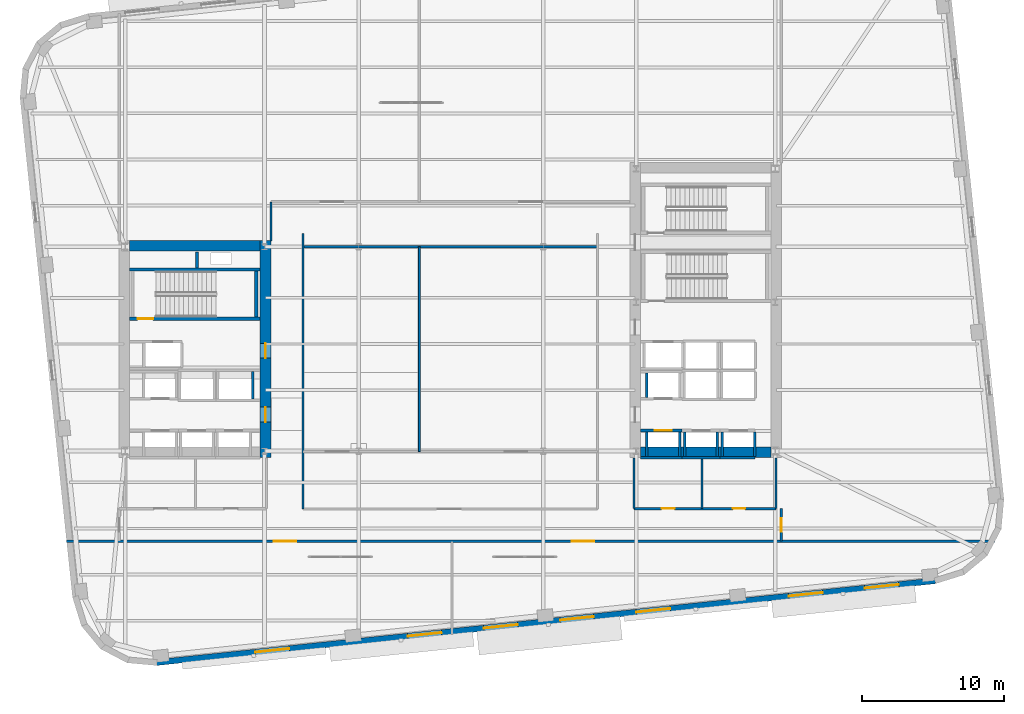
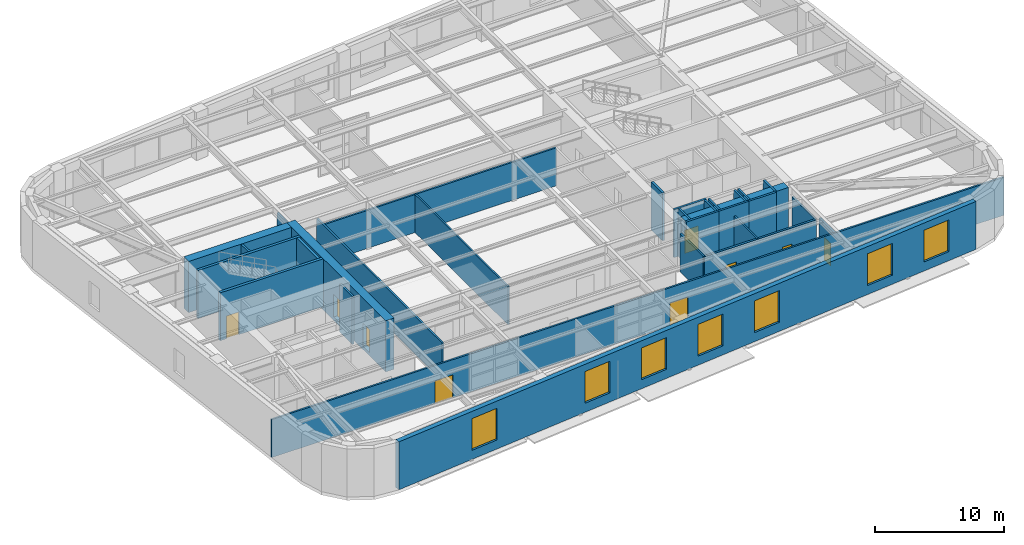
# One storey, part 8 of 14: 30 walls, 9 doors, 7 windows, 16 openings.
"""IFC4 building model written with IfcOpenShell, lengths in metres."""

import ifcopenshell
import ifcopenshell.guid

model = None  # the IFC model being written
_history = None  # IfcOwnerHistory: only IFC2X3 demands one
_inside = {}  # id of a spatial element -> (the spatial element, [elements in it])
_under = {}  # id of a project, library or spatial element -> (it, [spatial elements below it])
_declared = {}  # id of a project -> (the project, [libraries it declares])
_typed = {}  # id of a type object -> (the type object, [elements of that type])
_made_of = {}  # id of a material, layer set ... -> (it, [elements and type objects made of it])


def new_model(schema):
    """Start an empty IFC model of exactly this schema.

    Asked for "IFC4X3", IfcOpenShell would pick the latest addendum, in which some entities
    have other attributes; the version numbers below select the first issue.
    IFC2X3 requires an IfcOwnerHistory on every rooted entity: one is made here for all.
    """
    global model, _history
    if schema == "IFC4X3":
        model = ifcopenshell.file(schema_version=(4, 3, 0, 0))
    else:
        model = ifcopenshell.file(schema=schema)
    _inside.clear()
    _under.clear()
    _declared.clear()
    _typed.clear()
    _made_of.clear()
    _history = None
    if model.schema == "IFC2X3":
        org = make("IfcOrganization", Name="unknown")
        user = make(
            "IfcPersonAndOrganization",
            ThePerson=make("IfcPerson", FamilyName="unknown"),
            TheOrganization=org,
        )
        app = make(
            "IfcApplication",
            ApplicationDeveloper=org,
            Version="unknown",
            ApplicationFullName="unknown",
            ApplicationIdentifier="unknown",
        )
        _history = make(
            "IfcOwnerHistory",
            OwningUser=user,
            OwningApplication=app,
            ChangeAction="ADDED",
            CreationDate=0,
        )
    return model


def make(cls, **values):
    """One entity of the class cls with the attributes given. An attribute that is None is left unset."""
    return model.create_entity(
        cls, **{name: value for name, value in values.items() if value is not None}
    )


def rooted(cls, **values):
    """An entity with a GlobalId (a new one), such as an element, a storey or a relation."""
    return make(cls, GlobalId=ifcopenshell.guid.new(), OwnerHistory=_history, **values)


def si_unit(unit_type, name, prefix=None):
    """IfcSIUnit, for example si_unit("LENGTHUNIT", "METRE", prefix="MILLI")."""
    return make("IfcSIUnit", UnitType=unit_type, Prefix=prefix, Name=name)


def assignment(units):
    """IfcUnitAssignment: the units of a project."""
    return None if units is None else make("IfcUnitAssignment", Units=units)


def point(xyz):
    """IfcCartesianPoint."""
    return None if xyz is None else make("IfcCartesianPoint", Coordinates=xyz)


def direction(xyz):
    """IfcDirection."""
    return None if xyz is None else make("IfcDirection", DirectionRatios=xyz)


def frame(location, z_axis=None, x_axis=None):
    """IfcAxis2Placement3D, a coordinate frame: its origin and axes. An axis left out is left unset."""
    return make(
        "IfcAxis2Placement3D",
        Location=point(location),
        Axis=direction(z_axis),
        RefDirection=direction(x_axis),
    )


def frame_2d(location, x_axis=None):
    """IfcAxis2Placement2D, a coordinate frame in the plane: its origin and x axis."""
    return make(
        "IfcAxis2Placement2D", Location=point(location), RefDirection=direction(x_axis)
    )


def origin():
    """The frame at (0, 0, 0) with its axes left unset."""
    return frame((0.0, 0.0, 0.0))


def place(relative_to, where):
    """IfcLocalPlacement: puts the frame where relative to a parent placement (None: the world)."""
    return make(
        "IfcLocalPlacement", PlacementRelTo=relative_to, RelativePlacement=where
    )


def context(
    kind, dimensions, precision=None, world=None, true_north=None, identifier=None
):
    """IfcGeometricRepresentationContext, for example the 3D "Model" context."""
    return make(
        "IfcGeometricRepresentationContext",
        ContextIdentifier=identifier,
        ContextType=kind,
        CoordinateSpaceDimension=dimensions,
        Precision=precision,
        WorldCoordinateSystem=world,
        TrueNorth=true_north,
    )


def subcontext(parent, identifier, kind, view, scale=None):
    """IfcGeometricRepresentationSubContext, for example "Body" below "Model"."""
    return make(
        "IfcGeometricRepresentationSubContext",
        ContextIdentifier=identifier,
        ContextType=kind,
        ParentContext=parent,
        TargetScale=scale,
        TargetView=view,
    )


def project(units=None, contexts=None):
    """IfcProject with its units and contexts."""
    return rooted(
        "IfcProject",
        Name="project",
        RepresentationContexts=contexts,
        UnitsInContext=assignment(units),
    )


def spatial(cls, under=None, at=None, **own):
    """A site, building, storey or space (cls), placed at a placement, below another one or the project."""
    s = rooted(cls, ObjectPlacement=at, **own)
    if under is not None:
        _under.setdefault(under.id(), (under, []))[1].append(s)
    return s


def profile(cls, at=None, kind="AREA", **sizes):
    """A parametric profile (cls). Its sizes go by their IFC names, for example OverallWidth=200.0."""
    return make(cls, ProfileType=kind, Position=at, **sizes)


def rectangle(**sizes):
    """IfcRectangleProfileDef."""
    return profile("IfcRectangleProfileDef", **sizes)


def extrude(swept, where, along, depth):
    """IfcExtrudedAreaSolid: the profile swept, set in the frame where, extruded along a direction by depth."""
    return make(
        "IfcExtrudedAreaSolid",
        SweptArea=swept,
        Position=where,
        ExtrudedDirection=direction(along),
        Depth=depth,
    )


def shape(context_of_items, identifier, shape_type, items):
    """IfcShapeRepresentation: the items that make up one representation, for example the "Body"."""
    return make(
        "IfcShapeRepresentation",
        ContextOfItems=context_of_items,
        RepresentationIdentifier=identifier,
        RepresentationType=shape_type,
        Items=items,
    )


def material(Name=None, Category=None):
    """IfcMaterial."""
    return make("IfcMaterial", Name=Name, Category=Category)


def layer(
    of_material, thickness, ventilated=None, Name=None, Category=None, Priority=None
):
    """IfcMaterialLayer: one layer of a wall or slab, of a material (None: an air gap)."""
    return make(
        "IfcMaterialLayer",
        Material=of_material,
        LayerThickness=thickness,
        IsVentilated=ventilated,
        Name=Name,
        Category=Category,
        Priority=Priority,
    )


def layer_set(layers, Name=None):
    """IfcMaterialLayerSet."""
    return make("IfcMaterialLayerSet", MaterialLayers=layers, LayerSetName=Name)


def made_of(thing, what):
    """Note that an element or type object is made of a material, layer set ...; save() writes the relation."""
    if what is not None:
        _made_of.setdefault(what.id(), (what, []))[1].append(thing)
    return thing


def type_object(cls, material=None, **own):
    """A type object (cls), such as IfcWallType, which elements share."""
    return made_of(rooted(cls, **own), material)


def element(
    cls,
    number,
    at=None,
    inside=None,
    cuts=None,
    type_object=None,
    material=None,
    context=None,
    identifier="Body",
    shape_type=None,
    held_by="IfcProductDefinitionShape",
    body=None,
    shapes=None,
    **own,
):
    """One element of the class cls, such as IfcWall. Its Tag is "e" and its number.

    at: its placement. inside: the storey or other place that contains it. cuts: it is an
    opening in that element (IfcRelVoidsElement). A single representation is given by context,
    identifier, shape_type and body (its items); several are given by shapes. held_by: the class
    of the entity that holds the representations. save() writes the other relations.
    """
    e = rooted(cls, Tag="e%d" % number, ObjectPlacement=at, **own)
    if body is not None:
        shapes = [shape(context, identifier, shape_type, body)]
    if shapes is not None:
        e.Representation = make(held_by, Representations=shapes)
    if inside is not None:
        _inside.setdefault(inside.id(), (inside, []))[1].append(e)
    if cuts is not None:
        rooted(
            "IfcRelVoidsElement", RelatingBuildingElement=cuts, RelatedOpeningElement=e
        )
    if type_object is not None:
        _typed.setdefault(type_object.id(), (type_object, []))[1].append(e)
    return made_of(e, material)


def fill(opening, filler):
    """IfcRelFillsElement: the door or window that sits in an opening."""
    return rooted(
        "IfcRelFillsElement",
        RelatingOpeningElement=opening,
        RelatedBuildingElement=filler,
    )


def aggregate(whole, parts):
    """IfcRelAggregates: a whole, such as a stair, and the parts it consists of."""
    return rooted("IfcRelAggregates", RelatingObject=whole, RelatedObjects=parts)


def save(model, path):
    """Write the relations noted so far, then the file.

    IfcRelAggregates (storeys below a building ...), IfcRelContainedInSpatialStructure (elements
    in a storey), IfcRelDefinesByType, IfcRelAssociatesMaterial and IfcRelDeclares: one each for
    every whole, place, type object, material and project.
    """
    for whole, parts in _under.values():
        aggregate(whole, parts)
    for where, things in _inside.values():
        rooted(
            "IfcRelContainedInSpatialStructure",
            RelatedElements=things,
            RelatingStructure=where,
        )
    for kind, things in _typed.values():
        rooted("IfcRelDefinesByType", RelatedObjects=things, RelatingType=kind)
    for what, things in _made_of.values():
        rooted("IfcRelAssociatesMaterial", RelatedObjects=things, RelatingMaterial=what)
    for by, libraries in _declared.values():
        rooted("IfcRelDeclares", RelatingContext=by, RelatedDefinitions=libraries)
    model.write(path)


model = new_model("IFC4")

# Units and contexts
model_context = context("Model", 3, precision=1e-05, world=origin(), true_north=direction((0.0, 1.0)))
body_context = subcontext(model_context, "Body", "Model", "MODEL_VIEW")
ifc_project = project(units=[si_unit("LENGTHUNIT", "METRE"), si_unit("AREAUNIT", "SQUARE_METRE"), si_unit("VOLUMEUNIT", "CUBIC_METRE"), si_unit("PLANEANGLEUNIT", "RADIAN"), si_unit("MASSUNIT", "GRAM", prefix="KILO")], contexts=[model_context])

# Site, building, storey
site_placement = place(None, origin())
site = spatial("IfcSite", under=ifc_project, at=site_placement, CompositionType="ELEMENT")
building_placement = place(site_placement, origin())
building = spatial("IfcBuilding", under=site, at=building_placement, Name="Kolvaren Arena Tower", CompositionType="ELEMENT")
storey_placement = place(building_placement, frame((0.0, 0.0, 125.949951171875)))
storey = spatial("IfcBuildingStorey", under=building, at=storey_placement, Name="L29", CompositionType="ELEMENT", Elevation=125.949951171875)

# Walls
ifc_material_1 = material(Name="Gypsum board acoustic assembly", Category="gypsum")
ifc_layer_1 = layer(ifc_material_1, 0.159912109375)
ifc_layer_set_1 = layer_set([ifc_layer_1], Name="Gypsum board acoustic assembly")
wall_type_1 = type_object("IfcWallType", Name="CORR-160", PredefinedType="PARTITIONING", material=ifc_layer_set_1)
wall_1_placement = place(storey_placement, frame((27.080078125, 33.85009765625, 0.0), z_axis=(0.0, 0.0, 1.0), x_axis=(1.0, 0.0, 0.0)))
element("IfcWall", 1, at=wall_1_placement, inside=storey, type_object=wall_type_1, Name="Interior Partition Wall (L29)", PredefinedType="PARTITIONING", context=body_context, shape_type="SweptSolid", body=[
    extrude(rectangle(XDim=20.739990234375, YDim=0.159912109375, at=frame_2d((10.3701171875, 0.0))), origin(), (0.0, 0.0, 1.0), 3.590087890625),
])
wall_2_placement = place(storey_placement, frame((27.080078125, 15.3798828125, 0.0), z_axis=(0.0, 0.0, 1.0), x_axis=(0.0, 1.0, 0.0)))
element("IfcWall", 2, at=wall_2_placement, inside=storey, type_object=wall_type_1, Name="Interior Partition Wall (L29)", PredefinedType="PARTITIONING", context=body_context, shape_type="SweptSolid", body=[
    extrude(rectangle(XDim=19.400146484375, YDim=0.159912109375, at=frame_2d((9.7001953125, 0.0))), origin(), (0.0, 0.0, 1.0), 3.590087890625),
])
wall_3_placement = place(storey_placement, frame((24.820068359375, 34.25, 0.0), z_axis=(0.0, 0.0, 1.0), x_axis=(0.0, 1.0, 0.0)))
element("IfcWall", 3, at=wall_3_placement, inside=storey, type_object=wall_type_1, Name="Interior Partition Wall (L29)", PredefinedType="PARTITIONING", context=body_context, shape_type="SweptSolid", body=[
    extrude(rectangle(XDim=2.77001953125, YDim=0.159912109375, at=frame_2d((1.385009765625, 0.0))), origin(), (0.0, 0.0, 1.0), 3.590087890625),
])

# Wall, openings, doors
wall_4_placement = place(storey_placement, frame((10.41552734375, 13.10009765625, 0.0), z_axis=(0.0, 0.0, 1.0), x_axis=(1.0, 0.0, 0.0)))
wall_4 = element("IfcWall", 4, at=wall_4_placement, inside=storey, type_object=wall_type_1, Name="Interior Partition Wall (L29)", PredefinedType="PARTITIONING", context=body_context, shape_type="SweptSolid", body=[
    extrude(rectangle(XDim=65.414794921875, YDim=0.159912109375, at=frame_2d((32.70751953125, 0.0))), origin(), (0.0, 0.0, 1.0), 3.590087890625),
])
opening_1_placement = place(wall_4_placement, frame((14.58447265625, 0.0, 0.0)))
opening_1 = element("IfcOpeningElement", 5, at=opening_1_placement, cuts=wall_4, Name="Opening D06", PredefinedType="OPENING", context=body_context, shape_type="SweptSolid", body=[
    extrude(rectangle(XDim=1.60009765625, YDim=2.14990234375, at=frame_2d((0.800048828125, 1.074951171875))), frame((0.0, 0.08984375, 0.0), z_axis=(0.0, -1.0, 0.0), x_axis=(1.0, 0.0, 0.0)), (0.0, 0.0, 1.0), 0.179931640625),
])
opening_2_placement = place(wall_4_placement, frame((35.58447265625, 0.0, 0.0)))
opening_2 = element("IfcOpeningElement", 6, at=opening_2_placement, cuts=wall_4, Name="Opening D06", PredefinedType="OPENING", context=body_context, shape_type="SweptSolid", body=[
    extrude(rectangle(XDim=1.60009765625, YDim=2.14990234375, at=frame_2d((0.800048828125, 1.074951171875))), frame((0.0, 0.08984375, 0.0), z_axis=(0.0, -1.0, 0.0), x_axis=(1.0, 0.0, 0.0)), (0.0, 0.0, 1.0), 0.179931640625),
])
ifc_material_2 = material(Name="Glazed acoustic boardroom double door", Category="aluminium")
door_type_1 = type_object("IfcDoorType", Name="DOOR-MT-160", OperationType="DOUBLE_DOOR_SINGLE_SWING", PredefinedType="DOOR", material=ifc_material_2)
door_1_placement = place(opening_1_placement, origin())
door_1 = element("IfcDoor", 7, at=door_1_placement, inside=storey, type_object=door_type_1, Name="South Salon Door (L29)", OperationType="DOUBLE_DOOR_SINGLE_SWING", OverallHeight=2.14990234375, OverallWidth=1.60009765625, PredefinedType="DOOR", context=body_context, shape_type="SweptSolid", body=[
    extrude(rectangle(XDim=1.60009765625, YDim=2.14990234375, at=frame_2d((0.800048828125, 1.074951171875))), frame((0.0, 0.02490234375, 0.0), z_axis=(0.0, -1.0, 0.0), x_axis=(1.0, 0.0, 0.0)), (0.0, 0.0, 1.0), 0.050048828125),
])
fill(opening_1, door_1)
door_2_placement = place(opening_2_placement, origin())
door_2 = element("IfcDoor", 8, at=door_2_placement, inside=storey, type_object=door_type_1, Name="Tenant Suite Door (L29)", OperationType="DOUBLE_DOOR_SINGLE_SWING", OverallHeight=2.14990234375, OverallWidth=1.60009765625, PredefinedType="DOOR", context=body_context, shape_type="SweptSolid", body=[
    extrude(rectangle(XDim=1.60009765625, YDim=2.14990234375, at=frame_2d((0.800048828125, 1.074951171875))), frame((0.0, 0.02490234375, 0.0), z_axis=(0.0, -1.0, 0.0), x_axis=(1.0, 0.0, 0.0)), (0.0, 0.0, 1.0), 0.050048828125),
])
fill(opening_2, door_2)

# Wall, opening, door
wall_5_placement = place(storey_placement, frame((60.780029296875, 13.1201171875, 0.0), z_axis=(0.0, 0.0, 1.0), x_axis=(0.0, 1.0, 0.0)))
wall_5 = element("IfcWall", 9, at=wall_5_placement, inside=storey, type_object=wall_type_1, Name="Interior Partition Wall (L29)", PredefinedType="PARTITIONING", context=body_context, shape_type="SweptSolid", body=[
    extrude(rectangle(XDim=2.2998046875, YDim=0.159912109375, at=frame_2d((1.14990234375, 0.0))), origin(), (0.0, 0.0, 1.0), 3.590087890625),
])
opening_3_placement = place(wall_5_placement, frame((0.64990234375, 0.0, 0.0)))
opening_3 = element("IfcOpeningElement", 10, at=opening_3_placement, cuts=wall_5, Name="Opening D05", PredefinedType="OPENING", context=body_context, shape_type="SweptSolid", body=[
    extrude(rectangle(XDim=0.949951171875, YDim=2.14990234375, at=frame_2d((0.47509765625, 1.074951171875))), frame((0.0, 0.08984375, 0.0), z_axis=(0.0, -1.0, 0.0), x_axis=(1.0, 0.0, 0.0)), (0.0, 0.0, 1.0), 0.179931640625),
])
ifc_material_3 = material(Name="Solid-core oak acoustic office door", Category="wood")
door_type_2 = type_object("IfcDoorType", Name="DOOR-OF-095", OperationType="NOTDEFINED", PredefinedType="DOOR", material=ifc_material_3)
door_3_placement = place(opening_3_placement, origin())
door_3 = element("IfcDoor", 11, at=door_3_placement, inside=storey, type_object=door_type_2, Name="East Exhibition Gallery Door (L29)", OperationType="SINGLE_SWING_RIGHT", OverallHeight=2.14990234375, OverallWidth=0.949951171875, PredefinedType="DOOR", context=body_context, shape_type="SweptSolid", body=[
    extrude(rectangle(XDim=0.949951171875, YDim=2.14990234375, at=frame_2d((0.47509765625, 1.074951171875))), frame((0.0, 0.02490234375, 0.0), z_axis=(0.0, -1.0, 0.0), x_axis=(1.0, 0.0, 0.0)), (0.0, 0.0, 1.0), 0.050048828125),
])
fill(opening_3, door_3)

# Wall, openings, doors
ifc_material_4 = material(Name="Concrete 70 MPa", Category="concrete")
ifc_layer_2 = layer(ifc_material_4, 0.75)
ifc_layer_set_2 = layer_set([ifc_layer_2], Name="Concrete 70 MPa")
wall_type_2 = type_object("IfcWallType", Name="CWALL-750", PredefinedType="SHEAR", material=ifc_layer_set_2)
wall_6_placement = place(storey_placement, frame((24.425048828125, 19.0, -0.31005859375), z_axis=(0.0, 0.0, 1.0), x_axis=(0.0, 1.0, 0.0)))
wall_6 = element("IfcWall", 12, at=wall_6_placement, inside=storey, type_object=wall_type_2, Name="Core Shear Wall WC-EAST (L29)", PredefinedType="SHEAR", context=body_context, shape_type="SweptSolid", body=[
    extrude(rectangle(XDim=15.300048828125, YDim=0.75, at=frame_2d((7.64990234375, 0.0))), origin(), (0.0, 0.0, 1.0), 4.840087890625),
])
opening_4_placement = place(wall_6_placement, frame((2.5, 0.0, 0.31005859375)))
opening_4 = element("IfcOpeningElement", 13, at=opening_4_placement, cuts=wall_6, Name="Opening D04", PredefinedType="OPENING", context=body_context, shape_type="SweptSolid", body=[
    extrude(rectangle(XDim=1.050048828125, YDim=2.14990234375, at=frame_2d((0.52490234375, 1.074951171875))), frame((0.0, 0.385009765625, 0.0), z_axis=(0.0, -1.0, 0.0), x_axis=(1.0, 0.0, 0.0)), (0.0, 0.0, 1.0), 0.77001953125),
])
opening_5_placement = place(wall_6_placement, frame((7.0, 0.0, 0.31005859375)))
opening_5 = element("IfcOpeningElement", 14, at=opening_5_placement, cuts=wall_6, Name="Opening D04", PredefinedType="OPENING", context=body_context, shape_type="SweptSolid", body=[
    extrude(rectangle(XDim=1.050048828125, YDim=2.14990234375, at=frame_2d((0.52490234375, 1.074951171875))), frame((0.0, 0.385009765625, 0.0), z_axis=(0.0, -1.0, 0.0), x_axis=(1.0, 0.0, 0.0)), (0.0, 0.0, 1.0), 0.77001953125),
])
ifc_material_5 = material(Name="Fire-rated steel lobby door", Category="steel")
door_type_3 = type_object("IfcDoorType", Name="DOOR-FF-105", OperationType="NOTDEFINED", PredefinedType="DOOR", material=ifc_material_5)
door_4_placement = place(opening_4_placement, origin())
door_4 = element("IfcDoor", 15, at=door_4_placement, inside=storey, type_object=door_type_3, Name="West Lift Lobby Fire Door (L29)", OperationType="SINGLE_SWING_LEFT", OverallHeight=2.14990234375, OverallWidth=1.050048828125, PredefinedType="DOOR", context=body_context, shape_type="SweptSolid", body=[
    extrude(rectangle(XDim=1.050048828125, YDim=2.14990234375, at=frame_2d((0.52490234375, 1.074951171875))), frame((0.0, 0.02490234375, 0.0), z_axis=(0.0, -1.0, 0.0), x_axis=(1.0, 0.0, 0.0)), (0.0, 0.0, 1.0), 0.050048828125),
])
fill(opening_4, door_4)
door_5_placement = place(opening_5_placement, origin())
door_5 = element("IfcDoor", 16, at=door_5_placement, inside=storey, type_object=door_type_3, Name="West Firefighter Vestibule Door (L29)", OperationType="SINGLE_SWING_RIGHT", OverallHeight=2.14990234375, OverallWidth=1.050048828125, PredefinedType="DOOR", context=body_context, shape_type="SweptSolid", body=[
    extrude(rectangle(XDim=1.050048828125, YDim=2.14990234375, at=frame_2d((0.52490234375, 1.074951171875))), frame((0.0, 0.02490234375, 0.0), z_axis=(0.0, -1.0, 0.0), x_axis=(1.0, 0.0, 0.0)), (0.0, 0.0, 1.0), 0.050048828125),
])
fill(opening_5, door_5)

# Walls
for number, where, z_axis, x_axis, name in (
    (17, (14.85009765625, 33.925048828125, -0.31005859375), (0.0, 0.0, 1.0), (1.0, 0.0, 0.0), "Core Shear Wall WC-NORTH (L29)"),
    (18, (50.85009765625, 19.375, -0.31005859375), (0.0, 0.0, 1.0), (1.0, 0.0, 0.0), "Core Shear Wall EC-SOUTH (L29)"),
):
    element("IfcWall", number, at=place(storey_placement, frame(where, z_axis=z_axis, x_axis=x_axis)), inside=storey, type_object=wall_type_2, Name=name, PredefinedType="SHEAR", context=body_context, shape_type="SweptSolid", body=[
        extrude(rectangle(XDim=9.199951171875, YDim=0.75, at=frame_2d((4.60009765625, 0.0))), origin(), (0.0, 0.0, 1.0), 4.840087890625),
    ])

# Wall, openings, windows
ifc_material_6 = material(Name="Precast concrete C50/60", Category="concrete")
ifc_layer_3 = layer(ifc_material_6, 0.419921875)
ifc_layer_set_3 = layer_set([ifc_layer_3], Name="Precast concrete C50/60")
wall_type_3 = type_object("IfcWallType", Name="EXT-PIER1", PredefinedType="SOLIDWALL", material=ifc_layer_set_3)
wall_7_placement = place(storey_placement, frame((71.641357421875, 10.3203125, 0.0), z_axis=(0.0, 0.0, 1.0), x_axis=(-0.994521775062, -0.104529607897, 0.0)))
wall_7 = element("IfcWall", 19, at=wall_7_placement, inside=storey, type_object=wall_type_3, Name="Exterior Precast Masonry-Frame Wall (L29)", PredefinedType="SOLIDWALL", context=body_context, shape_type="SweptSolid", body=[
    extrude(rectangle(XDim=55.199951171875, YDim=0.419921875, at=frame_2d((27.60009765625, 0.0))), origin(), (0.0, 0.0, 1.0), 4.530029296875),
])
opening_6_placement = place(wall_7_placement, frame((2.60009765625, 0.0, 0.85009765625)))
opening_6 = element("IfcOpeningElement", 20, at=opening_6_placement, cuts=wall_7, Name="Opening W05", PredefinedType="OPENING", context=body_context, shape_type="SweptSolid", body=[
    extrude(rectangle(XDim=2.39990234375, YDim=3.0, at=frame_2d((1.199951171875, 1.5))), frame((0.0, 0.219970703125, 0.0), z_axis=(0.0, -1.0, 0.0), x_axis=(1.0, 0.0, 0.0)), (0.0, 0.0, 1.0), 0.43994140625),
])
opening_7_placement = place(wall_7_placement, frame((8.0, 0.0, 0.85009765625)))
opening_7 = element("IfcOpeningElement", 21, at=opening_7_placement, cuts=wall_7, Name="Opening W05", PredefinedType="OPENING", context=body_context, shape_type="SweptSolid", body=[
    extrude(rectangle(XDim=2.39990234375, YDim=3.0, at=frame_2d((1.199951171875, 1.5))), frame((0.0, 0.219970703125, 0.0), z_axis=(0.0, -1.0, 0.0), x_axis=(1.0, 0.0, 0.0)), (0.0, 0.0, 1.0), 0.43994140625),
])
opening_8_placement = place(wall_7_placement, frame((18.800048828125, 0.0, 0.85009765625)))
opening_8 = element("IfcOpeningElement", 22, at=opening_8_placement, cuts=wall_7, Name="Opening W05", PredefinedType="OPENING", context=body_context, shape_type="SweptSolid", body=[
    extrude(rectangle(XDim=2.39990234375, YDim=3.0, at=frame_2d((1.199951171875, 1.5))), frame((0.0, 0.219970703125, 0.0), z_axis=(0.0, -1.0, 0.0), x_axis=(1.0, 0.0, 0.0)), (0.0, 0.0, 1.0), 0.43994140625),
])
opening_9_placement = place(wall_7_placement, frame((24.199951171875, 0.0, 0.85009765625)))
opening_9 = element("IfcOpeningElement", 23, at=opening_9_placement, cuts=wall_7, Name="Opening W05", PredefinedType="OPENING", context=body_context, shape_type="SweptSolid", body=[
    extrude(rectangle(XDim=2.39990234375, YDim=3.0, at=frame_2d((1.199951171875, 1.5))), frame((0.0, 0.219970703125, 0.0), z_axis=(0.0, -1.0, 0.0), x_axis=(1.0, 0.0, 0.0)), (0.0, 0.0, 1.0), 0.43994140625),
])
opening_10_placement = place(wall_7_placement, frame((29.60009765625, 0.0, 0.85009765625)))
opening_10 = element("IfcOpeningElement", 24, at=opening_10_placement, cuts=wall_7, Name="Opening W05", PredefinedType="OPENING", context=body_context, shape_type="SweptSolid", body=[
    extrude(rectangle(XDim=2.39990234375, YDim=3.0, at=frame_2d((1.199951171875, 1.5))), frame((0.0, 0.219970703125, 0.0), z_axis=(0.0, -1.0, 0.0), x_axis=(1.0, 0.0, 0.0)), (0.0, 0.0, 1.0), 0.43994140625),
])
opening_11_placement = place(wall_7_placement, frame((35.0, 0.0, 0.85009765625)))
opening_11 = element("IfcOpeningElement", 25, at=opening_11_placement, cuts=wall_7, Name="Opening W05", PredefinedType="OPENING", context=body_context, shape_type="SweptSolid", body=[
    extrude(rectangle(XDim=2.39990234375, YDim=3.0, at=frame_2d((1.199951171875, 1.5))), frame((0.0, 0.219970703125, 0.0), z_axis=(0.0, -1.0, 0.0), x_axis=(1.0, 0.0, 0.0)), (0.0, 0.0, 1.0), 0.43994140625),
])
opening_12_placement = place(wall_7_placement, frame((45.800048828125, 0.0, 0.85009765625)))
opening_12 = element("IfcOpeningElement", 26, at=opening_12_placement, cuts=wall_7, Name="Opening W05", PredefinedType="OPENING", context=body_context, shape_type="SweptSolid", body=[
    extrude(rectangle(XDim=2.39990234375, YDim=3.0, at=frame_2d((1.199951171875, 1.5))), frame((0.0, 0.219970703125, 0.0), z_axis=(0.0, -1.0, 0.0), x_axis=(1.0, 0.0, 0.0)), (0.0, 0.0, 1.0), 0.43994140625),
])
ifc_material_7 = material(Name="Triple-glazed sky-lobby tall window", Category="glass")
window_type = type_object("IfcWindowType", Name="WIN-SKY-A", PartitioningType="DOUBLE_PANEL_VERTICAL", PredefinedType="WINDOW", material=ifc_material_7)
window_1_placement = place(opening_6_placement, origin())
window_1 = element("IfcWindow", 27, at=window_1_placement, inside=storey, type_object=window_type, Name="Punched Precast-Pier Window (L29)", OverallHeight=3.0, OverallWidth=2.39990234375, PartitioningType="DOUBLE_PANEL_VERTICAL", PredefinedType="WINDOW", context=body_context, shape_type="SweptSolid", body=[
    extrude(rectangle(XDim=2.39990234375, YDim=3.0, at=frame_2d((1.199951171875, 1.5))), frame((0.0, 0.030029296875, 0.0), z_axis=(0.0, -1.0, 0.0), x_axis=(1.0, 0.0, 0.0)), (0.0, 0.0, 1.0), 0.06005859375),
])
fill(opening_6, window_1)
window_2_placement = place(opening_7_placement, origin())
window_2 = element("IfcWindow", 28, at=window_2_placement, inside=storey, type_object=window_type, Name="Punched Precast-Pier Window (L29)", OverallHeight=3.0, OverallWidth=2.39990234375, PartitioningType="DOUBLE_PANEL_VERTICAL", PredefinedType="WINDOW", context=body_context, shape_type="SweptSolid", body=[
    extrude(rectangle(XDim=2.39990234375, YDim=3.0, at=frame_2d((1.199951171875, 1.5))), frame((0.0, 0.030029296875, 0.0), z_axis=(0.0, -1.0, 0.0), x_axis=(1.0, 0.0, 0.0)), (0.0, 0.0, 1.0), 0.06005859375),
])
fill(opening_7, window_2)
window_3_placement = place(opening_8_placement, origin())
window_3 = element("IfcWindow", 29, at=window_3_placement, inside=storey, type_object=window_type, Name="Punched Precast-Pier Window (L29)", OverallHeight=3.0, OverallWidth=2.39990234375, PartitioningType="DOUBLE_PANEL_VERTICAL", PredefinedType="WINDOW", context=body_context, shape_type="SweptSolid", body=[
    extrude(rectangle(XDim=2.39990234375, YDim=3.0, at=frame_2d((1.199951171875, 1.5))), frame((0.0, 0.030029296875, 0.0), z_axis=(0.0, -1.0, 0.0), x_axis=(1.0, 0.0, 0.0)), (0.0, 0.0, 1.0), 0.06005859375),
])
fill(opening_8, window_3)
window_4_placement = place(opening_9_placement, origin())
window_4 = element("IfcWindow", 30, at=window_4_placement, inside=storey, type_object=window_type, Name="Punched Precast-Pier Window (L29)", OverallHeight=3.0, OverallWidth=2.39990234375, PartitioningType="DOUBLE_PANEL_VERTICAL", PredefinedType="WINDOW", context=body_context, shape_type="SweptSolid", body=[
    extrude(rectangle(XDim=2.39990234375, YDim=3.0, at=frame_2d((1.199951171875, 1.5))), frame((0.0, 0.030029296875, 0.0), z_axis=(0.0, -1.0, 0.0), x_axis=(1.0, 0.0, 0.0)), (0.0, 0.0, 1.0), 0.06005859375),
])
fill(opening_9, window_4)
window_5_placement = place(opening_10_placement, origin())
window_5 = element("IfcWindow", 31, at=window_5_placement, inside=storey, type_object=window_type, Name="Punched Precast-Pier Window (L29)", OverallHeight=3.0, OverallWidth=2.39990234375, PartitioningType="DOUBLE_PANEL_VERTICAL", PredefinedType="WINDOW", context=body_context, shape_type="SweptSolid", body=[
    extrude(rectangle(XDim=2.39990234375, YDim=3.0, at=frame_2d((1.199951171875, 1.5))), frame((0.0, 0.030029296875, 0.0), z_axis=(0.0, -1.0, 0.0), x_axis=(1.0, 0.0, 0.0)), (0.0, 0.0, 1.0), 0.06005859375),
])
fill(opening_10, window_5)
window_6_placement = place(opening_11_placement, origin())
window_6 = element("IfcWindow", 32, at=window_6_placement, inside=storey, type_object=window_type, Name="Punched Precast-Pier Window (L29)", OverallHeight=3.0, OverallWidth=2.39990234375, PartitioningType="DOUBLE_PANEL_VERTICAL", PredefinedType="WINDOW", context=body_context, shape_type="SweptSolid", body=[
    extrude(rectangle(XDim=2.39990234375, YDim=3.0, at=frame_2d((1.199951171875, 1.5))), frame((0.0, 0.030029296875, 0.0), z_axis=(0.0, -1.0, 0.0), x_axis=(1.0, 0.0, 0.0)), (0.0, 0.0, 1.0), 0.06005859375),
])
fill(opening_11, window_6)
window_7_placement = place(opening_12_placement, origin())
window_7 = element("IfcWindow", 33, at=window_7_placement, inside=storey, type_object=window_type, Name="Punched Precast-Pier Window (L29)", OverallHeight=3.0, OverallWidth=2.39990234375, PartitioningType="DOUBLE_PANEL_VERTICAL", PredefinedType="WINDOW", context=body_context, shape_type="SweptSolid", body=[
    extrude(rectangle(XDim=2.39990234375, YDim=3.0, at=frame_2d((1.199951171875, 1.5))), frame((0.0, 0.030029296875, 0.0), z_axis=(0.0, -1.0, 0.0), x_axis=(1.0, 0.0, 0.0)), (0.0, 0.0, 1.0), 0.06005859375),
])
fill(opening_12, window_7)

# Wall
ifc_material_8 = material(Name="Gypsum board partition assembly", Category="gypsum")
ifc_layer_4 = layer(ifc_material_8, 0.135009765625)
ifc_layer_set_4 = layer_set([ifc_layer_4], Name="Gypsum board partition assembly")
wall_type_4 = type_object("IfcWallType", Name="PART-135", PredefinedType="PARTITIONING", material=ifc_layer_set_4)
wall_8_placement = place(storey_placement, frame((35.27001953125, 19.419921875, 0.0), z_axis=(0.0, 0.0, 1.0), x_axis=(0.0, 1.0, 0.0)))
element("IfcWall", 34, at=wall_8_placement, inside=storey, type_object=wall_type_4, Name="Interior Partition Wall (L29)", PredefinedType="PARTITIONING", context=body_context, shape_type="SweptSolid", body=[
    extrude(rectangle(XDim=14.43017578125, YDim=0.135009765625, at=frame_2d((7.215087890625, 0.0))), origin(), (0.0, 0.0, 1.0), 3.590087890625),
])

# Wall, opening, door
ifc_material_9 = material(Name="Concrete 45 MPa", Category="concrete")
ifc_layer_5 = layer(ifc_material_9, 0.25)
ifc_layer_set_5 = layer_set([ifc_layer_5], Name="Concrete 45 MPa")
wall_type_5 = type_object("IfcWallType", Name="SHAFT-250", PredefinedType="SOLIDWALL", material=ifc_layer_set_5)
wall_9_placement = place(storey_placement, frame((24.050048828125, 28.780029296875, 0.0), z_axis=(0.0, 0.0, 1.0), x_axis=(-1.0, 0.0, 0.0)))
wall_9 = element("IfcWall", 35, at=wall_9_placement, inside=storey, type_object=wall_type_5, Name="Core Shaft Wall (L29)", PredefinedType="SOLIDWALL", context=body_context, shape_type="SweptSolid", body=[
    extrude(rectangle(XDim=9.199951171875, YDim=0.239990234375, at=frame_2d((4.60009765625, 0.0))), origin(), (0.0, 0.0, 1.0), 4.530029296875),
])
opening_13_placement = place(wall_9_placement, frame((7.530029296875, 0.0, 0.0)))
opening_13 = element("IfcOpeningElement", 36, at=opening_13_placement, cuts=wall_9, Name="Opening D03", PredefinedType="OPENING", context=body_context, shape_type="SweptSolid", body=[
    extrude(rectangle(XDim=1.10009765625, YDim=2.14990234375, at=frame_2d((0.550048828125, 1.074951171875))), frame((0.0, 0.1298828125, 0.0), z_axis=(0.0, -1.0, 0.0), x_axis=(1.0, 0.0, 0.0)), (0.0, 0.0, 1.0), 0.260009765625),
])
ifc_material_10 = material(Name="Fire-rated steel exit stair door", Category="steel")
door_type_4 = type_object("IfcDoorType", Name="DOOR-ST-110", OperationType="NOTDEFINED", PredefinedType="DOOR", material=ifc_material_10)
door_6_placement = place(opening_13_placement, origin())
door_6 = element("IfcDoor", 37, at=door_6_placement, inside=storey, type_object=door_type_4, Name="Stair ST-W1 Fire Door (L29)", OperationType="SINGLE_SWING_RIGHT", OverallHeight=2.14990234375, OverallWidth=1.10009765625, PredefinedType="DOOR", context=body_context, shape_type="SweptSolid", body=[
    extrude(rectangle(XDim=1.10009765625, YDim=2.14990234375, at=frame_2d((0.550048828125, 1.074951171875))), frame((0.0, 0.02490234375, 0.0), z_axis=(0.0, -1.0, 0.0), x_axis=(1.0, 0.0, 0.0)), (0.0, 0.0, 1.0), 0.050048828125),
])
fill(opening_13, door_6)

# Walls
wall_10_placement = place(storey_placement, frame((14.85009765625, 32.25, 0.0), z_axis=(0.0, 0.0, 1.0), x_axis=(1.0, 0.0, 0.0)))
element("IfcWall", 38, at=wall_10_placement, inside=storey, type_object=wall_type_5, Name="Core Shaft Wall (L29)", PredefinedType="SOLIDWALL", context=body_context, shape_type="SweptSolid", body=[
    extrude(rectangle(XDim=9.199951171875, YDim=0.239990234375, at=frame_2d((4.60009765625, 0.0))), origin(), (0.0, 0.0, 1.0), 4.530029296875),
])
wall_11_placement = place(storey_placement, frame((23.780029296875, 28.89990234375, 0.0), z_axis=(0.0, 0.0, 1.0), x_axis=(0.0, 1.0, 0.0)))
element("IfcWall", 39, at=wall_11_placement, inside=storey, type_object=wall_type_5, Name="Core Shaft Wall (L29)", PredefinedType="SOLIDWALL", context=body_context, shape_type="SweptSolid", body=[
    extrude(rectangle(XDim=3.22998046875, YDim=0.239990234375, at=frame_2d((1.614990234375, 0.0))), origin(), (0.0, 0.0, 1.0), 4.530029296875),
])
wall_12_placement = place(storey_placement, frame((19.60009765625, 32.3701171875, 0.0), z_axis=(0.0, 0.0, 1.0), x_axis=(0.0, 1.0, 0.0)))
element("IfcWall", 40, at=wall_12_placement, inside=storey, type_object=wall_type_5, Name="Core Shaft Wall (L29)", PredefinedType="SOLIDWALL", context=body_context, shape_type="SweptSolid", body=[
    extrude(rectangle(XDim=1.1298828125, YDim=0.199951171875, at=frame_2d((0.56494140625, 0.0))), origin(), (0.0, 0.0, 1.0), 4.530029296875),
])

# Wall, opening, door
wall_13_placement = place(storey_placement, frame((50.85009765625, 20.905029296875, 0.0), z_axis=(0.0, 0.0, 1.0), x_axis=(1.0, 0.0, 0.0)))
wall_13 = element("IfcWall", 41, at=wall_13_placement, inside=storey, type_object=wall_type_5, Name="Core Shaft Wall (L29)", PredefinedType="SOLIDWALL", context=body_context, shape_type="SweptSolid", body=[
    extrude(rectangle(XDim=2.93994140625, YDim=0.179931640625, at=frame_2d((1.469970703125, 0.0))), origin(), (0.0, 0.0, 1.0), 4.530029296875),
])
opening_14_placement = place(wall_13_placement, frame((1.010009765625, 0.0, 0.0)))
opening_14 = element("IfcOpeningElement", 42, at=opening_14_placement, cuts=wall_13, Name="Opening LD1", PredefinedType="OPENING", context=body_context, shape_type="SweptSolid", body=[
    extrude(rectangle(XDim=1.199951171875, YDim=2.199951171875, at=frame_2d((0.60009765625, 1.10009765625))), frame((0.0, 0.099853515625, 0.0), z_axis=(0.0, -1.0, 0.0), x_axis=(1.0, 0.0, 0.0)), (0.0, 0.0, 1.0), 0.199951171875),
])
ifc_material_11 = material(Name="Stainless steel passenger lift landing door", Category="steel")
door_type_5 = type_object("IfcDoorType", Name="DOOR-LD-120", OperationType="DOUBLE_DOOR_SLIDING", PredefinedType="DOOR", material=ifc_material_11)
door_7_placement = place(opening_14_placement, origin())
door_7 = element("IfcDoor", 43, at=door_7_placement, inside=storey, type_object=door_type_5, Name="Lift EL-LR1 Landing Door (L29)", OperationType="DOUBLE_DOOR_SLIDING", OverallHeight=2.199951171875, OverallWidth=1.199951171875, PredefinedType="DOOR", context=body_context, shape_type="SweptSolid", body=[
    extrude(rectangle(XDim=1.199951171875, YDim=2.199951171875, at=frame_2d((0.60009765625, 1.10009765625))), frame((0.0, 0.02490234375, 0.0), z_axis=(0.0, -1.0, 0.0), x_axis=(1.0, 0.0, 0.0)), (0.0, 0.0, 1.0), 0.050048828125),
])
fill(opening_14, door_7)

# Walls
wall_14_placement = place(storey_placement, frame((50.85009765625, 18.9951171875, 0.0), z_axis=(0.0, 0.0, 1.0), x_axis=(1.0, 0.0, 0.0)))
element("IfcWall", 44, at=wall_14_placement, inside=storey, type_object=wall_type_5, Name="Core Shaft Wall (L29)", PredefinedType="SOLIDWALL", context=body_context, shape_type="SweptSolid", body=[
    extrude(rectangle(XDim=2.93994140625, YDim=0.179931640625, at=frame_2d((1.469970703125, 0.0))), origin(), (0.0, 0.0, 1.0), 4.530029296875),
])
for number, where, z_axis, x_axis, name in (
    (45, (51.304931640625, 19.0849609375, 0.0), (0.0, 0.0, 1.0), (0.0, 1.0, 0.0), "Core Shaft Wall (L29)"),
    (46, (53.614990234375, 19.0849609375, 0.0), (0.0, 0.0, 1.0), (0.0, 1.0, 0.0), "Core Shaft Wall (L29)"),
):
    element("IfcWall", number, at=place(storey_placement, frame(where, z_axis=z_axis, x_axis=x_axis)), inside=storey, type_object=wall_type_5, Name=name, PredefinedType="SOLIDWALL", context=body_context, shape_type="SweptSolid", body=[
        extrude(rectangle(XDim=1.72998046875, YDim=0.179931640625, at=frame_2d((0.864990234375, 0.0))), origin(), (0.0, 0.0, 1.0), 4.530029296875),
    ])
wall_15_placement = place(storey_placement, frame((53.7900390625, 18.9951171875, 0.0), z_axis=(0.0, 0.0, 1.0), x_axis=(1.0, 0.0, 0.0)))
element("IfcWall", 47, at=wall_15_placement, inside=storey, type_object=wall_type_5, Name="Core Shaft Wall (L29)", PredefinedType="SOLIDWALL", context=body_context, shape_type="SweptSolid", body=[
    extrude(rectangle(XDim=2.64990234375, YDim=0.179931640625, at=frame_2d((1.324951171875, 0.0))), origin(), (0.0, 0.0, 1.0), 4.530029296875),
])
for number, where, z_axis, x_axis, name in (
    (48, (53.965087890625, 19.0849609375, 0.0), (0.0, 0.0, 1.0), (0.0, 1.0, 0.0), "Core Shaft Wall (L29)"),
    (49, (56.27490234375, 19.0849609375, 0.0), (0.0, 0.0, 1.0), (0.0, 1.0, 0.0), "Core Shaft Wall (L29)"),
):
    element("IfcWall", number, at=place(storey_placement, frame(where, z_axis=z_axis, x_axis=x_axis)), inside=storey, type_object=wall_type_5, Name=name, PredefinedType="SOLIDWALL", context=body_context, shape_type="SweptSolid", body=[
        extrude(rectangle(XDim=1.72998046875, YDim=0.179931640625, at=frame_2d((0.864990234375, 0.0))), origin(), (0.0, 0.0, 1.0), 4.530029296875),
    ])
wall_16_placement = place(storey_placement, frame((56.43994140625, 18.9951171875, 0.0), z_axis=(0.0, 0.0, 1.0), x_axis=(1.0, 0.0, 0.0)))
element("IfcWall", 50, at=wall_16_placement, inside=storey, type_object=wall_type_5, Name="Core Shaft Wall (L29)", PredefinedType="SOLIDWALL", context=body_context, shape_type="SweptSolid", body=[
    extrude(rectangle(XDim=2.47509765625, YDim=0.179931640625, at=frame_2d((1.237548828125, 0.0))), origin(), (0.0, 0.0, 1.0), 4.530029296875),
])
for number, where, z_axis, x_axis, name in (
    (51, (56.60498046875, 19.0849609375, 0.0), (0.0, 0.0, 1.0), (0.0, 1.0, 0.0), "Core Shaft Wall (L29)"),
    (52, (58.9150390625, 19.0849609375, 0.0), (0.0, 0.0, 1.0), (0.0, 1.0, 0.0), "Core Shaft Wall (L29)"),
    (53, (51.304931640625, 23.235107421875, 0.0), (0.0, 0.0, 1.0), (0.0, 1.0, 0.0), "Core Shaft Wall (L29)"),
):
    element("IfcWall", number, at=place(storey_placement, frame(where, z_axis=z_axis, x_axis=x_axis)), inside=storey, type_object=wall_type_5, Name=name, PredefinedType="SOLIDWALL", context=body_context, shape_type="SweptSolid", body=[
        extrude(rectangle(XDim=1.72998046875, YDim=0.179931640625, at=frame_2d((0.864990234375, 0.0))), origin(), (0.0, 0.0, 1.0), 4.530029296875),
    ])
wall_17_placement = place(storey_placement, frame((23.530029296875, 23.135009765625, 0.0), z_axis=(0.0, 0.0, 1.0), x_axis=(0.0, 1.0, 0.0)))
element("IfcWall", 54, at=wall_17_placement, inside=storey, type_object=wall_type_5, Name="Core Shaft Wall (L29)", PredefinedType="SOLIDWALL", context=body_context, shape_type="SweptSolid", body=[
    extrude(rectangle(XDim=1.929931640625, YDim=0.179931640625, at=frame_2d((0.96484375, 0.0))), origin(), (0.0, 0.0, 1.0), 4.530029296875),
])

# Wall, openings, doors
wall_18_placement = place(storey_placement, frame((50.39990234375, 15.39990234375, 0.0), z_axis=(0.0, 0.0, 1.0), x_axis=(1.0, 0.0, 0.0)))
wall_18 = element("IfcWall", 55, at=wall_18_placement, inside=storey, type_object=wall_type_5, Name="Interior Partition Wall (L29)", PredefinedType="SOLIDWALL", context=body_context, shape_type="SweptSolid", body=[
    extrude(rectangle(XDim=10.0, YDim=0.179931640625, at=frame_2d((5.0, 0.0))), origin(), (0.0, 0.0, 1.0), 3.590087890625),
])
opening_15_placement = place(wall_18_placement, frame((1.93994140625, 0.0, 0.0)))
opening_15 = element("IfcOpeningElement", 56, at=opening_15_placement, cuts=wall_18, Name="Opening D07", PredefinedType="OPENING", context=body_context, shape_type="SweptSolid", body=[
    extrude(rectangle(XDim=0.919921875, YDim=2.10009765625, at=frame_2d((0.4599609375, 1.050048828125))), frame((0.0, 0.099853515625, 0.0), z_axis=(0.0, -1.0, 0.0), x_axis=(1.0, 0.0, 0.0)), (0.0, 0.0, 1.0), 0.199951171875),
])
opening_16_placement = place(wall_18_placement, frame((6.969970703125, 0.0, 0.0)))
opening_16 = element("IfcOpeningElement", 57, at=opening_16_placement, cuts=wall_18, Name="Opening D09", PredefinedType="OPENING", context=body_context, shape_type="SweptSolid", body=[
    extrude(rectangle(XDim=0.860107421875, YDim=2.050048828125, at=frame_2d((0.43017578125, 1.02490234375))), frame((0.0, 0.099853515625, 0.0), z_axis=(0.0, -1.0, 0.0), x_axis=(1.0, 0.0, 0.0)), (0.0, 0.0, 1.0), 0.199951171875),
])
ifc_material_12 = material(Name="Fire-rated steel riser access door", Category="steel")
door_type_6 = type_object("IfcDoorType", Name="DOOR-RS-086", OperationType="NOTDEFINED", PredefinedType="DOOR", material=ifc_material_12)
door_8_placement = place(opening_16_placement, origin())
door_8 = element("IfcDoor", 58, at=door_8_placement, inside=storey, type_object=door_type_6, Name="Electrical Riser Closet Door (L29)", OperationType="SINGLE_SWING_RIGHT", OverallHeight=2.050048828125, OverallWidth=0.860107421875, PredefinedType="DOOR", context=body_context, shape_type="SweptSolid", body=[
    extrude(rectangle(XDim=0.860107421875, YDim=2.050048828125, at=frame_2d((0.43017578125, 1.02490234375))), frame((0.0, 0.02490234375, 0.0), z_axis=(0.0, -1.0, 0.0), x_axis=(1.0, 0.0, 0.0)), (0.0, 0.0, 1.0), 0.050048828125),
])
fill(opening_16, door_8)
ifc_material_13 = material(Name="Laminate universal washroom door", Category="wood")
door_type_7 = type_object("IfcDoorType", Name="DOOR-WC-092", OperationType="NOTDEFINED", PredefinedType="DOOR", material=ifc_material_13)
door_9_placement = place(opening_15_placement, origin())
door_9 = element("IfcDoor", 59, at=door_9_placement, inside=storey, type_object=door_type_7, Name="Cleaner and Janitor Store Door (L29)", OperationType="SINGLE_SWING_LEFT", OverallHeight=2.10009765625, OverallWidth=0.919921875, PredefinedType="DOOR", context=body_context, shape_type="SweptSolid", body=[
    extrude(rectangle(XDim=0.919921875, YDim=2.10009765625, at=frame_2d((0.4599609375, 1.050048828125))), frame((0.0, 0.02490234375, 0.0), z_axis=(0.0, -1.0, 0.0), x_axis=(1.0, 0.0, 0.0)), (0.0, 0.0, 1.0), 0.050048828125),
])
fill(opening_15, door_9)

# Walls
ifc_material_14 = material(Name="Moisture-resistant gypsum assembly", Category="gypsum")
ifc_layer_6 = layer(ifc_material_14, 0.14990234375)
ifc_layer_set_6 = layer_set([ifc_layer_6], Name="Moisture-resistant gypsum assembly")
wall_type_6 = type_object("IfcWallType", Name="WETW-150", PredefinedType="PARTITIONING", material=ifc_layer_set_6)
for number, where, z_axis, x_axis, name in (
    (60, (55.199951171875, 15.39990234375, 0.0), (0.0, 0.0, 1.0), (0.0, 1.0, 0.0), "Interior Partition Wall (L29)"),
    (61, (50.39990234375, 15.39990234375, 0.0), (0.0, 0.0, 1.0), (0.0, 1.0, 0.0), "Interior Partition Wall (L29)"),
    (62, (60.39990234375, 15.39990234375, 0.0), (0.0, 0.0, 1.0), (0.0, 1.0, 0.0), "Interior Partition Wall (L29)"),
):
    element("IfcWall", number, at=place(storey_placement, frame(where, z_axis=z_axis, x_axis=x_axis)), inside=storey, type_object=wall_type_6, Name=name, PredefinedType="PARTITIONING", context=body_context, shape_type="SweptSolid", body=[
        extrude(rectangle(XDim=3.580078125, YDim=0.14990234375, at=frame_2d((1.7900390625, 0.0))), origin(), (0.0, 0.0, 1.0), 3.590087890625),
    ])

save(model, "model.ifc")
